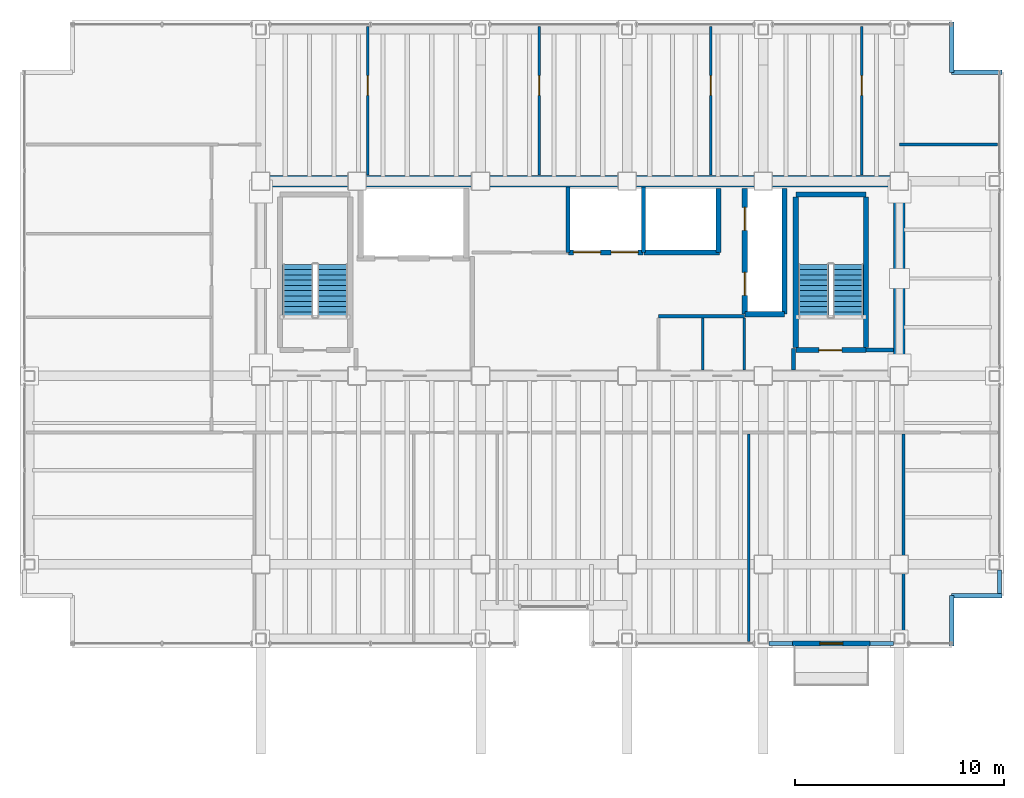
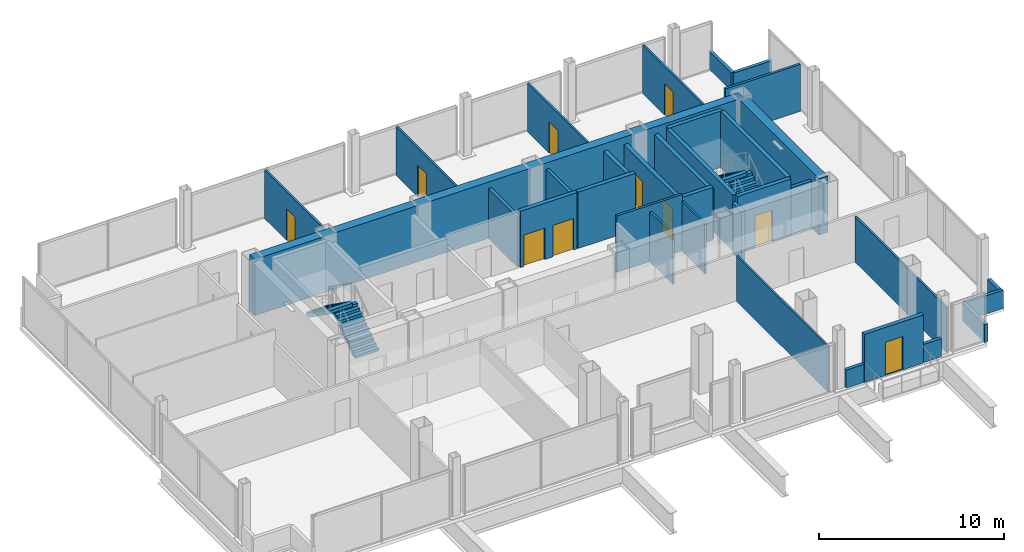
# One storey, part 22 of 24: 34 walls, 10 doors, 4 stair flights, 10 openings, 2 elements without a shape of their own.
"""IFC4 building model written with IfcOpenShell, lengths in metres."""

import ifcopenshell
import ifcopenshell.guid

model = None  # the IFC model being written
_history = None  # IfcOwnerHistory: only IFC2X3 demands one
_inside = {}  # id of a spatial element -> (the spatial element, [elements in it])
_under = {}  # id of a project, library or spatial element -> (it, [spatial elements below it])
_declared = {}  # id of a project -> (the project, [libraries it declares])
_typed = {}  # id of a type object -> (the type object, [elements of that type])
_made_of = {}  # id of a material, layer set ... -> (it, [elements and type objects made of it])


def new_model(schema):
    """Start an empty IFC model of exactly this schema.

    Asked for "IFC4X3", IfcOpenShell would pick the latest addendum, in which some entities
    have other attributes; the version numbers below select the first issue.
    IFC2X3 requires an IfcOwnerHistory on every rooted entity: one is made here for all.
    """
    global model, _history
    if schema == "IFC4X3":
        model = ifcopenshell.file(schema_version=(4, 3, 0, 0))
    else:
        model = ifcopenshell.file(schema=schema)
    _inside.clear()
    _under.clear()
    _declared.clear()
    _typed.clear()
    _made_of.clear()
    _history = None
    if model.schema == "IFC2X3":
        org = make("IfcOrganization", Name="unknown")
        user = make(
            "IfcPersonAndOrganization",
            ThePerson=make("IfcPerson", FamilyName="unknown"),
            TheOrganization=org,
        )
        app = make(
            "IfcApplication",
            ApplicationDeveloper=org,
            Version="unknown",
            ApplicationFullName="unknown",
            ApplicationIdentifier="unknown",
        )
        _history = make(
            "IfcOwnerHistory",
            OwningUser=user,
            OwningApplication=app,
            ChangeAction="ADDED",
            CreationDate=0,
        )
    return model


def make(cls, **values):
    """One entity of the class cls with the attributes given. An attribute that is None is left unset."""
    return model.create_entity(
        cls, **{name: value for name, value in values.items() if value is not None}
    )


def rooted(cls, **values):
    """An entity with a GlobalId (a new one), such as an element, a storey or a relation."""
    return make(cls, GlobalId=ifcopenshell.guid.new(), OwnerHistory=_history, **values)


def si_unit(unit_type, name, prefix=None):
    """IfcSIUnit, for example si_unit("LENGTHUNIT", "METRE", prefix="MILLI")."""
    return make("IfcSIUnit", UnitType=unit_type, Prefix=prefix, Name=name)


def assignment(units):
    """IfcUnitAssignment: the units of a project."""
    return None if units is None else make("IfcUnitAssignment", Units=units)


def point(xyz):
    """IfcCartesianPoint."""
    return None if xyz is None else make("IfcCartesianPoint", Coordinates=xyz)


def direction(xyz):
    """IfcDirection."""
    return None if xyz is None else make("IfcDirection", DirectionRatios=xyz)


def frame(location, z_axis=None, x_axis=None):
    """IfcAxis2Placement3D, a coordinate frame: its origin and axes. An axis left out is left unset."""
    return make(
        "IfcAxis2Placement3D",
        Location=point(location),
        Axis=direction(z_axis),
        RefDirection=direction(x_axis),
    )


def frame_2d(location, x_axis=None):
    """IfcAxis2Placement2D, a coordinate frame in the plane: its origin and x axis."""
    return make(
        "IfcAxis2Placement2D", Location=point(location), RefDirection=direction(x_axis)
    )


def origin():
    """The frame at (0, 0, 0) with its axes left unset."""
    return frame((0.0, 0.0, 0.0))


def place(relative_to, where):
    """IfcLocalPlacement: puts the frame where relative to a parent placement (None: the world)."""
    return make(
        "IfcLocalPlacement", PlacementRelTo=relative_to, RelativePlacement=where
    )


def context(
    kind, dimensions, precision=None, world=None, true_north=None, identifier=None
):
    """IfcGeometricRepresentationContext, for example the 3D "Model" context."""
    return make(
        "IfcGeometricRepresentationContext",
        ContextIdentifier=identifier,
        ContextType=kind,
        CoordinateSpaceDimension=dimensions,
        Precision=precision,
        WorldCoordinateSystem=world,
        TrueNorth=true_north,
    )


def subcontext(parent, identifier, kind, view, scale=None):
    """IfcGeometricRepresentationSubContext, for example "Body" below "Model"."""
    return make(
        "IfcGeometricRepresentationSubContext",
        ContextIdentifier=identifier,
        ContextType=kind,
        ParentContext=parent,
        TargetScale=scale,
        TargetView=view,
    )


def project(units=None, contexts=None):
    """IfcProject with its units and contexts."""
    return rooted(
        "IfcProject",
        Name="project",
        RepresentationContexts=contexts,
        UnitsInContext=assignment(units),
    )


def spatial(cls, under=None, at=None, **own):
    """A site, building, storey or space (cls), placed at a placement, below another one or the project."""
    s = rooted(cls, ObjectPlacement=at, **own)
    if under is not None:
        _under.setdefault(under.id(), (under, []))[1].append(s)
    return s


def polyline(points):
    """IfcPolyline through the points."""
    return make("IfcPolyline", Points=[point(p) for p in points])


def profile(cls, at=None, kind="AREA", **sizes):
    """A parametric profile (cls). Its sizes go by their IFC names, for example OverallWidth=200.0."""
    return make(cls, ProfileType=kind, Position=at, **sizes)


def rectangle(**sizes):
    """IfcRectangleProfileDef."""
    return profile("IfcRectangleProfileDef", **sizes)


def outline(outer, holes=None, kind="AREA"):
    """IfcArbitraryClosedProfileDef: a profile drawn as a closed curve; with holes, ...WithVoids."""
    if holes is None:
        return make("IfcArbitraryClosedProfileDef", ProfileType=kind, OuterCurve=outer)
    return make(
        "IfcArbitraryProfileDefWithVoids",
        ProfileType=kind,
        OuterCurve=outer,
        InnerCurves=holes,
    )


def extrude(swept, where, along, depth):
    """IfcExtrudedAreaSolid: the profile swept, set in the frame where, extruded along a direction by depth."""
    return make(
        "IfcExtrudedAreaSolid",
        SweptArea=swept,
        Position=where,
        ExtrudedDirection=direction(along),
        Depth=depth,
    )


def shape(context_of_items, identifier, shape_type, items):
    """IfcShapeRepresentation: the items that make up one representation, for example the "Body"."""
    return make(
        "IfcShapeRepresentation",
        ContextOfItems=context_of_items,
        RepresentationIdentifier=identifier,
        RepresentationType=shape_type,
        Items=items,
    )


def material(Name=None, Category=None):
    """IfcMaterial."""
    return make("IfcMaterial", Name=Name, Category=Category)


def layer(
    of_material, thickness, ventilated=None, Name=None, Category=None, Priority=None
):
    """IfcMaterialLayer: one layer of a wall or slab, of a material (None: an air gap)."""
    return make(
        "IfcMaterialLayer",
        Material=of_material,
        LayerThickness=thickness,
        IsVentilated=ventilated,
        Name=Name,
        Category=Category,
        Priority=Priority,
    )


def layer_set(layers, Name=None):
    """IfcMaterialLayerSet."""
    return make("IfcMaterialLayerSet", MaterialLayers=layers, LayerSetName=Name)


def made_of(thing, what):
    """Note that an element or type object is made of a material, layer set ...; save() writes the relation."""
    if what is not None:
        _made_of.setdefault(what.id(), (what, []))[1].append(thing)
    return thing


def type_object(cls, material=None, **own):
    """A type object (cls), such as IfcWallType, which elements share."""
    return made_of(rooted(cls, **own), material)


def element(
    cls,
    number,
    at=None,
    inside=None,
    cuts=None,
    type_object=None,
    material=None,
    context=None,
    identifier="Body",
    shape_type=None,
    held_by="IfcProductDefinitionShape",
    body=None,
    shapes=None,
    **own,
):
    """One element of the class cls, such as IfcWall. Its Tag is "e" and its number.

    at: its placement. inside: the storey or other place that contains it. cuts: it is an
    opening in that element (IfcRelVoidsElement). A single representation is given by context,
    identifier, shape_type and body (its items); several are given by shapes. held_by: the class
    of the entity that holds the representations. save() writes the other relations.
    """
    e = rooted(cls, Tag="e%d" % number, ObjectPlacement=at, **own)
    if body is not None:
        shapes = [shape(context, identifier, shape_type, body)]
    if shapes is not None:
        e.Representation = make(held_by, Representations=shapes)
    if inside is not None:
        _inside.setdefault(inside.id(), (inside, []))[1].append(e)
    if cuts is not None:
        rooted(
            "IfcRelVoidsElement", RelatingBuildingElement=cuts, RelatedOpeningElement=e
        )
    if type_object is not None:
        _typed.setdefault(type_object.id(), (type_object, []))[1].append(e)
    return made_of(e, material)


def fill(opening, filler):
    """IfcRelFillsElement: the door or window that sits in an opening."""
    return rooted(
        "IfcRelFillsElement",
        RelatingOpeningElement=opening,
        RelatedBuildingElement=filler,
    )


def aggregate(whole, parts):
    """IfcRelAggregates: a whole, such as a stair, and the parts it consists of."""
    return rooted("IfcRelAggregates", RelatingObject=whole, RelatedObjects=parts)


def save(model, path):
    """Write the relations noted so far, then the file.

    IfcRelAggregates (storeys below a building ...), IfcRelContainedInSpatialStructure (elements
    in a storey), IfcRelDefinesByType, IfcRelAssociatesMaterial and IfcRelDeclares: one each for
    every whole, place, type object, material and project.
    """
    for whole, parts in _under.values():
        aggregate(whole, parts)
    for where, things in _inside.values():
        rooted(
            "IfcRelContainedInSpatialStructure",
            RelatedElements=things,
            RelatingStructure=where,
        )
    for kind, things in _typed.values():
        rooted("IfcRelDefinesByType", RelatedObjects=things, RelatingType=kind)
    for what, things in _made_of.values():
        rooted("IfcRelAssociatesMaterial", RelatedObjects=things, RelatingMaterial=what)
    for by, libraries in _declared.values():
        rooted("IfcRelDeclares", RelatingContext=by, RelatedDefinitions=libraries)
    model.write(path)


model = new_model("IFC4")

# Units and contexts
model_context = context("Model", 3, precision=1e-05, world=origin(), true_north=direction((0.0, 1.0)))
body_context = subcontext(model_context, "Body", "Model", "MODEL_VIEW")
ifc_project = project(units=[si_unit("LENGTHUNIT", "METRE"), si_unit("AREAUNIT", "SQUARE_METRE"), si_unit("VOLUMEUNIT", "CUBIC_METRE"), si_unit("PLANEANGLEUNIT", "RADIAN"), si_unit("MASSUNIT", "GRAM", prefix="KILO")], contexts=[model_context])

# Site, building, storey
site_placement = place(None, origin())
site = spatial("IfcSite", under=ifc_project, at=site_placement, CompositionType="ELEMENT")
building_placement = place(site_placement, origin())
building = spatial("IfcBuilding", under=site, at=building_placement, Name="Noeulbin Bourse Tower", CompositionType="ELEMENT")
storey_placement = place(building_placement, frame((0.0, 0.0, 142.199951171875)))
storey = spatial("IfcBuildingStorey", under=building, at=storey_placement, Name="L35", CompositionType="ELEMENT", Elevation=142.199951171875)

# Walls
ifc_material_1 = material(Name="Concrete C60/75", Category="concrete")
ifc_layer_1 = layer(ifc_material_1, 0.550048828125)
ifc_layer_set_1 = layer_set([ifc_layer_1], Name="Concrete C60/75")
wall_type_1 = type_object("IfcWallType", Name="WAL-CORE-550", PredefinedType="SHEAR", material=ifc_layer_set_1)
wall_1_placement = place(storey_placement, frame((13.5, 38.300048828125, 0.0), z_axis=(0.0, 0.0, 1.0), x_axis=(1.0, 0.0, 0.0)))
element("IfcWall", 1, at=wall_1_placement, inside=storey, type_object=wall_type_1, Name="Rear Core North Shear Wall L35", PredefinedType="SHEAR", context=body_context, shape_type="SweptSolid", body=[
    extrude(rectangle(XDim=30.5, YDim=0.550048828125, at=frame_2d((15.25, 0.0))), origin(), (0.0, 0.0, 1.0), 3.719970703125),
])
wall_2_placement = place(storey_placement, frame((44.0, 29.35009765625, 0.0), z_axis=(0.0, 0.0, 1.0), x_axis=(0.0, 1.0, 0.0)))
element("IfcWall", 2, at=wall_2_placement, inside=storey, type_object=wall_type_1, Name="Rear Core East Shear Wall L35", PredefinedType="SHEAR", context=body_context, shape_type="SweptSolid", body=[
    extrude(rectangle(XDim=8.599853515625, YDim=0.550048828125, at=frame_2d((4.2998046875, 0.0))), origin(), (0.0, 0.0, 1.0), 3.719970703125),
])

# Wall, opening, door
ifc_material_2 = material(Name="Precast Concrete C40/50", Category="concrete")
ifc_layer_2 = layer(ifc_material_2, 0.25)
ifc_layer_set_2 = layer_set([ifc_layer_2], Name="Precast Concrete C40/50")
wall_type_2 = type_object("IfcWallType", Name="WAL-EXT-250", PredefinedType="STANDARD", material=ifc_layer_set_2)
wall_3_placement = place(storey_placement, frame((38.89990234375, 16.219970703125, 0.0), z_axis=(0.0, 0.0, 1.0), x_axis=(1.0, 0.0, 0.0)))
wall_3 = element("IfcWall", 3, at=wall_3_placement, inside=storey, type_object=wall_type_2, Name="Balcony Threshold Wall L35", PredefinedType="STANDARD", context=body_context, shape_type="SweptSolid", body=[
    extrude(rectangle(XDim=3.7001953125, YDim=0.25, at=frame_2d((1.85009765625, 0.0))), origin(), (0.0, 0.0, 1.0), 3.179931640625),
])
opening_1_placement = place(wall_3_placement, frame((1.300048828125, 0.0, 0.0)))
opening_1 = element("IfcOpeningElement", 4, at=opening_1_placement, cuts=wall_3, Name="Opening BD-11", PredefinedType="OPENING", context=body_context, shape_type="SweptSolid", body=[
    extrude(rectangle(XDim=1.10009765625, YDim=2.199951171875, at=frame_2d((0.550048828125, 1.10009765625))), frame((0.0, 0.135009765625, 0.0), z_axis=(0.0, -1.0, 0.0), x_axis=(1.0, 0.0, 0.0)), (0.0, 0.0, 1.0), 0.27001953125),
])
ifc_material_3 = material(Name="Thermally Broken Aluminium Framed Glass", Category="aluminium")
door_type_1 = type_object("IfcDoorType", Name="DR-BAL-1100", OperationType="SINGLE_SWING_LEFT", PredefinedType="DOOR", material=ifc_material_3)
door_1_placement = place(opening_1_placement, origin())
door_1 = element("IfcDoor", 5, at=door_1_placement, inside=storey, type_object=door_type_1, Name="Tree-Balcony Access Door BD-L35", OperationType="SINGLE_SWING_LEFT", OverallHeight=2.199951171875, OverallWidth=1.10009765625, PredefinedType="DOOR", context=body_context, shape_type="SweptSolid", body=[
    extrude(rectangle(XDim=1.10009765625, YDim=2.199951171875, at=frame_2d((0.550048828125, 1.10009765625))), frame((0.0, 0.02490234375, 0.0), z_axis=(0.0, -1.0, 0.0), x_axis=(1.0, 0.0, 0.0)), (0.0, 0.0, 1.0), 0.050048828125),
])
fill(opening_1, door_1)

# Walls
ifc_material_4 = material(Name="Concrete C40/50", Category="concrete")
ifc_layer_3 = layer(ifc_material_4, 0.199951171875)
ifc_layer_set_3 = layer_set([ifc_layer_3], Name="Concrete C40/50")
wall_type_3 = type_object("IfcWallType", Name="WAL-FIRE-200", PredefinedType="STANDARD", material=ifc_layer_set_3)
wall_4_placement = place(storey_placement, frame((42.39990234375, 30.239990234375, 0.0), z_axis=(0.0, 0.0, 1.0), x_axis=(1.0, 0.0, 0.0)))
element("IfcWall", 6, at=wall_4_placement, inside=storey, type_object=wall_type_3, Name="Interior Partition Wall L35-01", PredefinedType="STANDARD", context=body_context, shape_type="SweptSolid", body=[
    extrude(rectangle(XDim=1.315185546875, YDim=0.199951171875, at=frame_2d((0.65771484375, 0.0))), origin(), (0.0, 0.0, 1.0), 3.10009765625),
])
wall_5_placement = place(storey_placement, frame((38.949951171875, 29.284912109375, 0.0), z_axis=(0.0, 0.0, 1.0), x_axis=(0.0, 1.0, 0.0)))
element("IfcWall", 7, at=wall_5_placement, inside=storey, type_object=wall_type_3, Name="Interior Partition Wall L35-10", PredefinedType="STANDARD", context=body_context, shape_type="SweptSolid", body=[
    extrude(rectangle(XDim=1.01513671875, YDim=0.199951171875, at=frame_2d((0.507568359375, 0.0))), origin(), (0.0, 0.0, 1.0), 3.300048828125),
])
ifc_layer_4 = layer(ifc_material_4, 0.199951171875)
ifc_layer_set_4 = layer_set([ifc_layer_4], Name="Concrete C40/50")
wall_type_4 = type_object("IfcWallType", Name="WAL-PAR-200", PredefinedType="PARAPET", material=ifc_layer_set_4)
for number, where, z_axis, x_axis, name in (
    (8, (48.780029296875, 18.60009765625, 0.0), (0.0, 0.0, 1.0), (0.0, 1.0, 0.0), "Perimeter Pier Spandrel Parapet L35-E2"),
    (9, (37.77001953125, 16.219970703125, 0.0), (0.0, 0.0, 1.0), (1.0, 0.0, 0.0), "Perimeter Pier Spandrel Parapet L35-S3"),
    (10, (42.60009765625, 16.219970703125, 0.0), (0.0, 0.0, 1.0), (1.0, 0.0, 0.0), "Perimeter Pier Spandrel Parapet L35-S4"),
):
    element("IfcWall", number, at=place(storey_placement, frame(where, z_axis=z_axis, x_axis=x_axis)), inside=storey, type_object=wall_type_4, Name=name, PredefinedType="PARAPET", context=body_context, shape_type="SweptSolid", body=[
        extrude(rectangle(XDim=1.1298828125, YDim=0.199951171875, at=frame_2d((0.56494140625, 0.0))), origin(), (0.0, 0.0, 1.0), 1.199951171875),
    ])
for number, where, z_axis, x_axis, name in (
    (11, (46.5, 16.10009765625, 0.0), (0.0, 0.0, 1.0), (0.0, 1.0, 0.0), "Corner Notch Parapet L35-SE1"),
    (12, (46.5, 18.5, 0.0), (0.0, 0.0, 1.0), (1.0, 0.0, 0.0), "Corner Notch Parapet L35-SE2"),
    (13, (46.5, 45.89990234375, 0.0), (0.0, 0.0, 1.0), (0.0, -1.0, 0.0), "Corner Notch Parapet L35-NE1"),
    (14, (46.5, 43.5, 0.0), (0.0, 0.0, 1.0), (1.0, 0.0, 0.0), "Corner Notch Parapet L35-NE2"),
):
    element("IfcWall", number, at=place(storey_placement, frame(where, z_axis=z_axis, x_axis=x_axis)), inside=storey, type_object=wall_type_4, Name=name, PredefinedType="PARAPET", context=body_context, shape_type="SweptSolid", body=[
        extrude(rectangle(XDim=2.39990234375, YDim=0.199951171875, at=frame_2d((1.199951171875, 0.0))), origin(), (0.0, 0.0, 1.0), 1.199951171875),
    ])
ifc_material_5 = material(Name="Steel Stud Gypsum Partition", Category="steel")
ifc_layer_5 = layer(ifc_material_5, 0.1201171875)
ifc_layer_set_5 = layer_set([ifc_layer_5], Name="Steel Stud Gypsum Partition")
wall_type_5 = type_object("IfcWallType", Name="WAL-PRT-120", PredefinedType="PARTITIONING", material=ifc_layer_set_5)
for number, where, z_axis, x_axis, name in (
    (15, (36.60009765625, 29.284912109375, 0.0), (0.0, 0.0, 1.0), (0.0, 1.0, 0.0), "Interior Partition Wall L35-13"),
    (16, (34.60009765625, 29.284912109375, 0.0), (0.0, 0.0, 1.0), (0.0, 1.0, 0.0), "Interior Partition Wall L35-14"),
):
    element("IfcWall", number, at=place(storey_placement, frame(where, z_axis=z_axis, x_axis=x_axis)), inside=storey, type_object=wall_type_5, Name=name, PredefinedType="PARTITIONING", context=body_context, shape_type="SweptSolid", body=[
        extrude(rectangle(XDim=2.47998046875, YDim=0.1201171875, at=frame_2d((1.239990234375, 0.0))), origin(), (0.0, 0.0, 1.0), 3.300048828125),
    ])
for number, where, z_axis, x_axis, name in (
    (17, (36.800048828125, 16.31005859375, 0.0), (0.0, 0.0, 1.0), (0.0, 1.0, 0.0), "Interior Partition Wall L35-19"),
    (18, (44.199951171875, 16.31005859375, 0.0), (0.0, 0.0, 1.0), (0.0, 1.0, 0.0), "Interior Partition Wall L35-20"),
):
    element("IfcWall", number, at=place(storey_placement, frame(where, z_axis=z_axis, x_axis=x_axis)), inside=storey, type_object=wall_type_5, Name=name, PredefinedType="PARTITIONING", context=body_context, shape_type="SweptSolid", body=[
        extrude(rectangle(XDim=9.905029296875, YDim=0.1201171875, at=frame_2d((4.95263671875, 0.0))), origin(), (0.0, 0.0, 1.0), 3.0),
    ])

# Wall, opening, door
wall_6_placement = place(storey_placement, frame((18.60009765625, 38.5849609375, 0.0), z_axis=(0.0, 0.0, 1.0), x_axis=(0.0, 1.0, 0.0)))
wall_6 = element("IfcWall", 19, at=wall_6_placement, inside=storey, type_object=wall_type_5, Name="Interior Partition Wall L35-21", PredefinedType="PARTITIONING", context=body_context, shape_type="SweptSolid", body=[
    extrude(rectangle(XDim=7.10498046875, YDim=0.1201171875, at=frame_2d((3.552490234375, 0.0))), origin(), (0.0, 0.0, 1.0), 3.212158203125),
])
opening_2_placement = place(wall_6_placement, frame((3.81005859375, 0.0, 0.0)))
opening_2 = element("IfcOpeningElement", 20, at=opening_2_placement, cuts=wall_6, Name="Opening ID-09", PredefinedType="OPENING", context=body_context, shape_type="SweptSolid", body=[
    extrude(rectangle(XDim=0.949951171875, YDim=2.080078125, at=frame_2d((0.47509765625, 1.0400390625))), frame((0.0, 0.070068359375, 0.0), z_axis=(0.0, -1.0, 0.0), x_axis=(1.0, 0.0, 0.0)), (0.0, 0.0, 1.0), 0.14013671875),
])
ifc_material_6 = material(Name="Acoustic Solid-Core Timber", Category="wood")
door_type_2 = type_object("IfcDoorType", Name="DR-SINGLE-950", OperationType="SINGLE_SWING_LEFT", PredefinedType="DOOR", material=ifc_material_6)
door_2_placement = place(opening_2_placement, origin())
door_2 = element("IfcDoor", 21, at=door_2_placement, inside=storey, type_object=door_type_2, Name="Interior Door L35-18", OperationType="SINGLE_SWING_LEFT", OverallHeight=2.080078125, OverallWidth=0.949951171875, PredefinedType="DOOR", context=body_context, shape_type="SweptSolid", body=[
    extrude(rectangle(XDim=0.949951171875, YDim=2.080078125, at=frame_2d((0.47509765625, 1.0400390625))), frame((0.0, 0.02490234375, 0.0), z_axis=(0.0, -1.0, 0.0), x_axis=(1.0, 0.0, 0.0)), (0.0, 0.0, 1.0), 0.050048828125),
])
fill(opening_2, door_2)

wall_7_placement = place(storey_placement, frame((26.800048828125, 38.5849609375, 0.0), z_axis=(0.0, 0.0, 1.0), x_axis=(0.0, 1.0, 0.0)))
wall_7 = element("IfcWall", 22, at=wall_7_placement, inside=storey, type_object=wall_type_5, Name="Interior Partition Wall L35-22", PredefinedType="PARTITIONING", context=body_context, shape_type="SweptSolid", body=[
    extrude(rectangle(XDim=7.10498046875, YDim=0.1201171875, at=frame_2d((3.552490234375, 0.0))), origin(), (0.0, 0.0, 1.0), 3.212158203125),
])
opening_3_placement = place(wall_7_placement, frame((3.81005859375, 0.0, 0.0)))
opening_3 = element("IfcOpeningElement", 23, at=opening_3_placement, cuts=wall_7, Name="Opening ID-09", PredefinedType="OPENING", context=body_context, shape_type="SweptSolid", body=[
    extrude(rectangle(XDim=0.949951171875, YDim=2.080078125, at=frame_2d((0.47509765625, 1.0400390625))), frame((0.0, 0.070068359375, 0.0), z_axis=(0.0, -1.0, 0.0), x_axis=(1.0, 0.0, 0.0)), (0.0, 0.0, 1.0), 0.14013671875),
])
door_3_placement = place(opening_3_placement, origin())
door_3 = element("IfcDoor", 24, at=door_3_placement, inside=storey, type_object=door_type_2, Name="Interior Door L35-19", OperationType="SINGLE_SWING_RIGHT", OverallHeight=2.080078125, OverallWidth=0.949951171875, PredefinedType="DOOR", context=body_context, shape_type="SweptSolid", body=[
    extrude(rectangle(XDim=0.949951171875, YDim=2.080078125, at=frame_2d((0.47509765625, 1.0400390625))), frame((0.0, 0.02490234375, 0.0), z_axis=(0.0, -1.0, 0.0), x_axis=(1.0, 0.0, 0.0)), (0.0, 0.0, 1.0), 0.050048828125),
])
fill(opening_3, door_3)

wall_8_placement = place(storey_placement, frame((35.0, 38.5849609375, 0.0), z_axis=(0.0, 0.0, 1.0), x_axis=(0.0, 1.0, 0.0)))
wall_8 = element("IfcWall", 25, at=wall_8_placement, inside=storey, type_object=wall_type_5, Name="Interior Partition Wall L35-23", PredefinedType="PARTITIONING", context=body_context, shape_type="SweptSolid", body=[
    extrude(rectangle(XDim=7.10498046875, YDim=0.1201171875, at=frame_2d((3.552490234375, 0.0))), origin(), (0.0, 0.0, 1.0), 3.212158203125),
])
opening_4_placement = place(wall_8_placement, frame((3.81005859375, 0.0, 0.0)))
opening_4 = element("IfcOpeningElement", 26, at=opening_4_placement, cuts=wall_8, Name="Opening ID-09", PredefinedType="OPENING", context=body_context, shape_type="SweptSolid", body=[
    extrude(rectangle(XDim=0.949951171875, YDim=2.080078125, at=frame_2d((0.47509765625, 1.0400390625))), frame((0.0, 0.070068359375, 0.0), z_axis=(0.0, -1.0, 0.0), x_axis=(1.0, 0.0, 0.0)), (0.0, 0.0, 1.0), 0.14013671875),
])
door_4_placement = place(opening_4_placement, origin())
door_4 = element("IfcDoor", 27, at=door_4_placement, inside=storey, type_object=door_type_2, Name="Interior Door L35-20", OperationType="SINGLE_SWING_LEFT", OverallHeight=2.080078125, OverallWidth=0.949951171875, PredefinedType="DOOR", context=body_context, shape_type="SweptSolid", body=[
    extrude(rectangle(XDim=0.949951171875, YDim=2.080078125, at=frame_2d((0.47509765625, 1.0400390625))), frame((0.0, 0.02490234375, 0.0), z_axis=(0.0, -1.0, 0.0), x_axis=(1.0, 0.0, 0.0)), (0.0, 0.0, 1.0), 0.050048828125),
])
fill(opening_4, door_4)

wall_9_placement = place(storey_placement, frame((42.199951171875, 38.5849609375, 0.0), z_axis=(0.0, 0.0, 1.0), x_axis=(0.0, 1.0, 0.0)))
wall_9 = element("IfcWall", 28, at=wall_9_placement, inside=storey, type_object=wall_type_5, Name="Interior Partition Wall L35-24", PredefinedType="PARTITIONING", context=body_context, shape_type="SweptSolid", body=[
    extrude(rectangle(XDim=7.10498046875, YDim=0.1201171875, at=frame_2d((3.552490234375, 0.0))), origin(), (0.0, 0.0, 1.0), 3.212158203125),
])
opening_5_placement = place(wall_9_placement, frame((3.81005859375, 0.0, 0.0)))
opening_5 = element("IfcOpeningElement", 29, at=opening_5_placement, cuts=wall_9, Name="Opening ID-09", PredefinedType="OPENING", context=body_context, shape_type="SweptSolid", body=[
    extrude(rectangle(XDim=0.949951171875, YDim=2.080078125, at=frame_2d((0.47509765625, 1.0400390625))), frame((0.0, 0.070068359375, 0.0), z_axis=(0.0, -1.0, 0.0), x_axis=(1.0, 0.0, 0.0)), (0.0, 0.0, 1.0), 0.14013671875),
])
door_5_placement = place(opening_5_placement, origin())
door_5 = element("IfcDoor", 30, at=door_5_placement, inside=storey, type_object=door_type_2, Name="Interior Door L35-21", OperationType="SINGLE_SWING_RIGHT", OverallHeight=2.080078125, OverallWidth=0.949951171875, PredefinedType="DOOR", context=body_context, shape_type="SweptSolid", body=[
    extrude(rectangle(XDim=0.949951171875, YDim=2.080078125, at=frame_2d((0.47509765625, 1.0400390625))), frame((0.0, 0.02490234375, 0.0), z_axis=(0.0, -1.0, 0.0), x_axis=(1.0, 0.0, 0.0)), (0.0, 0.0, 1.0), 0.050048828125),
])
fill(opening_5, door_5)

# Walls
ifc_material_7 = material(Name="Steel Stud Acoustic Gypsum Board", Category="steel")
ifc_layer_6 = layer(ifc_material_7, 0.14990234375)
ifc_layer_set_6 = layer_set([ifc_layer_6], Name="Steel Stud Acoustic Gypsum Board")
wall_type_6 = type_object("IfcWallType", Name="WAL-PRT-150", PredefinedType="PARTITIONING", material=ifc_layer_set_6)
wall_10_placement = place(storey_placement, frame((32.5, 31.85009765625, 0.0), z_axis=(0.0, 0.0, 1.0), x_axis=(1.0, 0.0, 0.0)))
element("IfcWall", 31, at=wall_10_placement, inside=storey, type_object=wall_type_6, Name="Interior Partition Wall L35-03", PredefinedType="PARTITIONING", context=body_context, shape_type="SweptSolid", body=[
    extrude(rectangle(XDim=4.10009765625, YDim=0.14990234375, at=frame_2d((2.050048828125, 0.0))), origin(), (0.0, 0.0, 1.0), 3.719970703125),
])
wall_11_placement = place(storey_placement, frame((44.0, 40.050048828125, 0.0), z_axis=(0.0, 0.0, 1.0), x_axis=(1.0, 0.0, 0.0)))
element("IfcWall", 32, at=wall_11_placement, inside=storey, type_object=wall_type_6, Name="Interior Partition Wall L35-08", PredefinedType="PARTITIONING", context=body_context, shape_type="SweptSolid", body=[
    extrude(rectangle(XDim=4.68994140625, YDim=0.14990234375, at=frame_2d((2.344970703125, 0.0))), origin(), (0.0, 0.0, 1.0), 3.10009765625),
])

# Wall, opening, door
ifc_layer_7 = layer(ifc_material_4, 0.25)
ifc_layer_set_7 = layer_set([ifc_layer_7], Name="Concrete C40/50")
wall_type_7 = type_object("IfcWallType", Name="WAL-SHFT-250", PredefinedType="STANDARD", material=ifc_layer_set_7)
wall_12_placement = place(storey_placement, frame((39.06005859375, 30.235107421875, 0.0), z_axis=(0.0, 0.0, 1.0), x_axis=(1.0, 0.0, 0.0)))
wall_12 = element("IfcWall", 33, at=wall_12_placement, inside=storey, type_object=wall_type_7, Name="Stair ST-2 South Shaft Wall L35", PredefinedType="STANDARD", context=body_context, shape_type="SweptSolid", body=[
    extrude(rectangle(XDim=3.33984375, YDim=0.25, at=frame_2d((1.669921875, 0.0))), origin(), (0.0, 0.0, 1.0), 3.719970703125),
])
opening_6_placement = place(wall_12_placement, frame((1.10009765625, 0.0, 0.0)))
opening_6 = element("IfcOpeningElement", 34, at=opening_6_placement, cuts=wall_12, Name="Opening FD-11", PredefinedType="OPENING", context=body_context, shape_type="SweptSolid", body=[
    extrude(rectangle(XDim=1.10009765625, YDim=2.080078125, at=frame_2d((0.550048828125, 1.0400390625))), frame((0.0, 0.135009765625, 0.0), z_axis=(0.0, -1.0, 0.0), x_axis=(1.0, 0.0, 0.0)), (0.0, 0.0, 1.0), 0.27001953125),
])
ifc_material_8 = material(Name="Fire-Rated Insulated Steel", Category="steel")
door_type_3 = type_object("IfcDoorType", Name="DR-FD60-1100", OperationType="SINGLE_SWING_LEFT", PredefinedType="DOOR", material=ifc_material_8)
door_6_placement = place(opening_6_placement, origin())
door_6 = element("IfcDoor", 35, at=door_6_placement, inside=storey, type_object=door_type_3, Name="Protected Stair Entry Door ST2-L35", OperationType="SINGLE_SWING_LEFT", OverallHeight=2.080078125, OverallWidth=1.10009765625, PredefinedType="DOOR", context=body_context, shape_type="SweptSolid", body=[
    extrude(rectangle(XDim=1.10009765625, YDim=2.080078125, at=frame_2d((0.550048828125, 1.0400390625))), frame((0.0, 0.02490234375, 0.0), z_axis=(0.0, -1.0, 0.0), x_axis=(1.0, 0.0, 0.0)), (0.0, 0.0, 1.0), 0.050048828125),
])
fill(opening_6, door_6)

# Walls
wall_13_placement = place(storey_placement, frame((39.06005859375, 37.6689453125, 0.0), z_axis=(0.0, 0.0, 1.0), x_axis=(1.0, 0.0, 0.0)))
element("IfcWall", 36, at=wall_13_placement, inside=storey, type_object=wall_type_7, Name="Stair ST-2 North Shaft Wall L35", PredefinedType="STANDARD", context=body_context, shape_type="SweptSolid", body=[
    extrude(rectangle(XDim=3.33984375, YDim=0.25, at=frame_2d((1.669921875, 0.0))), origin(), (0.0, 0.0, 1.0), 3.719970703125),
])
for number, where, z_axis, x_axis, name in (
    (37, (39.054931640625, 30.360107421875, 0.0), (0.0, 0.0, 1.0), (0.0, 1.0, 0.0), "Stair ST-2 West Shaft Wall L35"),
    (38, (42.405029296875, 30.360107421875, 0.0), (0.0, 0.0, 1.0), (0.0, 1.0, 0.0), "Stair ST-2 East Shaft Wall L35"),
):
    element("IfcWall", number, at=place(storey_placement, frame(where, z_axis=z_axis, x_axis=x_axis)), inside=storey, type_object=wall_type_7, Name=name, PredefinedType="STANDARD", context=body_context, shape_type="SweptSolid", body=[
        extrude(rectangle(XDim=7.183837890625, YDim=0.25, at=frame_2d((3.591796875, 0.0))), origin(), (0.0, 0.0, 1.0), 3.719970703125),
    ])

# Wall, openings, doors
wall_14_placement = place(storey_placement, frame((36.6201171875, 31.949951171875, 0.0), z_axis=(0.0, 0.0, 1.0), x_axis=(0.0, 1.0, 0.0)))
wall_14 = element("IfcWall", 39, at=wall_14_placement, inside=storey, type_object=wall_type_7, Name="Service Lift Shaft Wall L35", PredefinedType="STANDARD", context=body_context, shape_type="SweptSolid", body=[
    extrude(rectangle(XDim=6.0, YDim=0.25, at=frame_2d((3.0, 0.0))), origin(), (0.0, 0.0, 1.0), 3.300048828125),
])
opening_7_placement = place(wall_14_placement, frame((0.89990234375, 0.0, 0.0)))
opening_7 = element("IfcOpeningElement", 40, at=opening_7_placement, cuts=wall_14, Name="Opening LD-11", PredefinedType="OPENING", context=body_context, shape_type="SweptSolid", body=[
    extrude(rectangle(XDim=1.10009765625, YDim=2.080078125, at=frame_2d((0.550048828125, 1.0400390625))), frame((0.0, 0.135009765625, 0.0), z_axis=(0.0, -1.0, 0.0), x_axis=(1.0, 0.0, 0.0)), (0.0, 0.0, 1.0), 0.27001953125),
])
opening_8_placement = place(wall_14_placement, frame((4.0, 0.0, 0.0)))
opening_8 = element("IfcOpeningElement", 41, at=opening_8_placement, cuts=wall_14, Name="Opening LD-11", PredefinedType="OPENING", context=body_context, shape_type="SweptSolid", body=[
    extrude(rectangle(XDim=1.10009765625, YDim=2.080078125, at=frame_2d((0.550048828125, 1.0400390625))), frame((0.0, 0.135009765625, 0.0), z_axis=(0.0, -1.0, 0.0), x_axis=(1.0, 0.0, 0.0)), (0.0, 0.0, 1.0), 0.27001953125),
])
ifc_material_9 = material(Name="Brushed Stainless Steel 316", Category="steel")
door_type_4 = type_object("IfcDoorType", Name="DR-LIFT-1100", OperationType="SLIDING_TO_LEFT", PredefinedType="DOOR", material=ifc_material_9)
door_7_placement = place(opening_7_placement, origin())
door_7 = element("IfcDoor", 42, at=door_7_placement, inside=storey, type_object=door_type_4, Name="Lift Landing Door LD-EL-01-L35", OperationType="SLIDING_TO_LEFT", OverallHeight=2.080078125, OverallWidth=1.10009765625, PredefinedType="DOOR", context=body_context, shape_type="SweptSolid", body=[
    extrude(rectangle(XDim=1.10009765625, YDim=2.080078125, at=frame_2d((0.550048828125, 1.0400390625))), frame((0.0, 0.02490234375, 0.0), z_axis=(0.0, -1.0, 0.0), x_axis=(1.0, 0.0, 0.0)), (0.0, 0.0, 1.0), 0.050048828125),
])
fill(opening_7, door_7)
door_8_placement = place(opening_8_placement, origin())
door_8 = element("IfcDoor", 43, at=door_8_placement, inside=storey, type_object=door_type_4, Name="Lift Landing Door LD-SV-01-L35", OperationType="SLIDING_TO_LEFT", OverallHeight=2.080078125, OverallWidth=1.10009765625, PredefinedType="DOOR", context=body_context, shape_type="SweptSolid", body=[
    extrude(rectangle(XDim=1.10009765625, YDim=2.080078125, at=frame_2d((0.550048828125, 1.0400390625))), frame((0.0, 0.02490234375, 0.0), z_axis=(0.0, -1.0, 0.0), x_axis=(1.0, 0.0, 0.0)), (0.0, 0.0, 1.0), 0.050048828125),
])
fill(opening_8, door_8)

# Walls
wall_15_placement = place(storey_placement, frame((38.52001953125, 31.949951171875, 0.0), z_axis=(0.0, 0.0, 1.0), x_axis=(0.0, 1.0, 0.0)))
element("IfcWall", 44, at=wall_15_placement, inside=storey, type_object=wall_type_7, Name="Service Lift East Shaft Wall L35", PredefinedType="STANDARD", context=body_context, shape_type="SweptSolid", body=[
    extrude(rectangle(XDim=6.0, YDim=0.25, at=frame_2d((3.0, 0.0))), origin(), (0.0, 0.0, 1.0), 3.300048828125),
])
wall_16_placement = place(storey_placement, frame((36.6201171875, 31.949951171875, 0.0), z_axis=(0.0, 0.0, 1.0), x_axis=(1.0, 0.0, 0.0)))
element("IfcWall", 45, at=wall_16_placement, inside=storey, type_object=wall_type_7, Name="Service Lift South Shaft Wall L35", PredefinedType="STANDARD", context=body_context, shape_type="SweptSolid", body=[
    extrude(rectangle(XDim=1.89990234375, YDim=0.25, at=frame_2d((0.949951171875, 0.0))), origin(), (0.0, 0.0, 1.0), 3.47998046875),
])
wall_17_placement = place(storey_placement, frame((35.360107421875, 34.89990234375, 0.0), z_axis=(0.0, 0.0, 1.0), x_axis=(0.0, 1.0, 0.0)))
element("IfcWall", 46, at=wall_17_placement, inside=storey, type_object=wall_type_7, Name="High-Rise Lift East Shaft Wall L35", PredefinedType="STANDARD", context=body_context, shape_type="SweptSolid", body=[
    extrude(rectangle(XDim=3.050048828125, YDim=0.25, at=frame_2d((1.52490234375, 0.0))), origin(), (0.0, 0.0, 1.0), 3.300048828125),
])

# Wall, openings, doors
wall_18_placement = place(storey_placement, frame((28.199951171875, 34.89990234375, 0.0), z_axis=(0.0, 0.0, 1.0), x_axis=(1.0, 0.0, 0.0)))
wall_18 = element("IfcWall", 47, at=wall_18_placement, inside=storey, type_object=wall_type_7, Name="Mid-Rise Lift Bank Front L35", PredefinedType="STANDARD", context=body_context, shape_type="SweptSolid", body=[
    extrude(rectangle(XDim=3.550048828125, YDim=0.25, at=frame_2d((1.77490234375, 0.0))), origin(), (0.0, 0.0, 1.0), 3.719970703125),
])
opening_9_placement = place(wall_18_placement, frame((0.22998046875, 0.0, 0.0)))
opening_9 = element("IfcOpeningElement", 48, at=opening_9_placement, cuts=wall_18, Name="Opening LD-13", PredefinedType="OPENING", context=body_context, shape_type="SweptSolid", body=[
    extrude(rectangle(XDim=1.300048828125, YDim=2.080078125, at=frame_2d((0.64990234375, 1.0400390625))), frame((0.0, 0.135009765625, 0.0), z_axis=(0.0, -1.0, 0.0), x_axis=(1.0, 0.0, 0.0)), (0.0, 0.0, 1.0), 0.27001953125),
])
opening_10_placement = place(wall_18_placement, frame((2.030029296875, 0.0, 0.0)))
opening_10 = element("IfcOpeningElement", 49, at=opening_10_placement, cuts=wall_18, Name="Opening LD-13", PredefinedType="OPENING", context=body_context, shape_type="SweptSolid", body=[
    extrude(rectangle(XDim=1.300048828125, YDim=2.080078125, at=frame_2d((0.64990234375, 1.0400390625))), frame((0.0, 0.135009765625, 0.0), z_axis=(0.0, -1.0, 0.0), x_axis=(1.0, 0.0, 0.0)), (0.0, 0.0, 1.0), 0.27001953125),
])
door_type_5 = type_object("IfcDoorType", Name="DR-LIFT-1300", OperationType="DOUBLE_DOOR_SLIDING", PredefinedType="DOOR", material=ifc_material_9)
door_9_placement = place(opening_9_placement, origin())
door_9 = element("IfcDoor", 50, at=door_9_placement, inside=storey, type_object=door_type_5, Name="Lift Landing Door LD-PL-M1-L35", OperationType="DOUBLE_DOOR_SLIDING", OverallHeight=2.080078125, OverallWidth=1.300048828125, PredefinedType="DOOR", context=body_context, shape_type="SweptSolid", body=[
    extrude(rectangle(XDim=1.300048828125, YDim=2.080078125, at=frame_2d((0.64990234375, 1.0400390625))), frame((0.0, 0.02490234375, 0.0), z_axis=(0.0, -1.0, 0.0), x_axis=(1.0, 0.0, 0.0)), (0.0, 0.0, 1.0), 0.050048828125),
])
fill(opening_9, door_9)
door_10_placement = place(opening_10_placement, origin())
door_10 = element("IfcDoor", 51, at=door_10_placement, inside=storey, type_object=door_type_5, Name="Lift Landing Door LD-PL-M2-L35", OperationType="DOUBLE_DOOR_SLIDING", OverallHeight=2.080078125, OverallWidth=1.300048828125, PredefinedType="DOOR", context=body_context, shape_type="SweptSolid", body=[
    extrude(rectangle(XDim=1.300048828125, YDim=2.080078125, at=frame_2d((0.64990234375, 1.0400390625))), frame((0.0, 0.02490234375, 0.0), z_axis=(0.0, -1.0, 0.0), x_axis=(1.0, 0.0, 0.0)), (0.0, 0.0, 1.0), 0.050048828125),
])
fill(opening_10, door_10)

# Walls
wall_19_placement = place(storey_placement, frame((31.800048828125, 34.89990234375, 0.0), z_axis=(0.0, 0.0, 1.0), x_axis=(1.0, 0.0, 0.0)))
element("IfcWall", 52, at=wall_19_placement, inside=storey, type_object=wall_type_7, Name="High-Rise Lift Bank Front L35", PredefinedType="STANDARD", context=body_context, shape_type="SweptSolid", body=[
    extrude(rectangle(XDim=3.599853515625, YDim=0.25, at=frame_2d((1.7998046875, 0.0))), origin(), (0.0, 0.0, 1.0), 3.719970703125),
])
for number, where, z_axis, x_axis, name in (
    (53, (28.179931640625, 34.89990234375, 0.0), (0.0, 0.0, 1.0), (0.0, 1.0, 0.0), "Hoistway Side Shaft Wall L35-PLMW"),
    (54, (31.780029296875, 34.89990234375, 0.0), (0.0, 0.0, 1.0), (0.0, 1.0, 0.0), "Hoistway Side Shaft Wall L35-PLHW"),
):
    element("IfcWall", number, at=place(storey_placement, frame(where, z_axis=z_axis, x_axis=x_axis)), inside=storey, type_object=wall_type_7, Name=name, PredefinedType="STANDARD", context=body_context, shape_type="SweptSolid", body=[
        extrude(rectangle(XDim=3.1201171875, YDim=0.199951171875, at=frame_2d((1.56005859375, 0.0))), origin(), (0.0, 0.0, 1.0), 3.300048828125),
    ])

# Stair, stair flights
stair_type = type_object("IfcStairType", Name="STR-CORE-1560", PredefinedType="HALF_TURN_STAIR", material=ifc_material_4)
stair_1_placement = place(storey_placement, origin())
stair_1 = element("IfcStair", 55, at=stair_1_placement, inside=storey, type_object=stair_type, Name="L35 ST-1", PredefinedType="HALF_TURN_STAIR")
stair_flight_type = type_object("IfcStairFlightType", Name="SFL-CORE-1560", PredefinedType="STRAIGHT", material=ifc_material_4)
stair_flight_1_placement = place(storey_placement, frame((16.925048828125, 31.81005859375, 0.0), z_axis=(0.0, 0.0, 1.0), x_axis=(0.0, 1.0, 0.0)))
stair_flight_1 = element("IfcStairFlight", 56, at=stair_flight_1_placement, type_object=stair_flight_type, Name="ST-1 flight 1", NumberOfRisers=11, NumberOfTreads=10, PredefinedType="STRAIGHT", RiserHeight=0.177272727, TreadLength=0.252, context=body_context, shape_type="SweptSolid", body=[
    extrude(outline(polyline([(0.0, 0.0), (0.0, 0.17724609375), (0.251953125, 0.17724609375), (0.251953125, 0.3544921875), (0.50390625, 0.3544921875), (0.50390625, 0.53173828125), (0.756103515625, 0.53173828125), (0.756103515625, 0.708984375), (1.008056640625, 0.708984375), (1.008056640625, 0.886474609375), (1.260009765625, 0.886474609375), (1.260009765625, 1.063720703125), (1.511962890625, 1.063720703125), (1.511962890625, 1.240966796875), (1.763916015625, 1.240966796875), (1.763916015625, 1.418212890625), (2.01611328125, 1.418212890625), (2.01611328125, 1.595458984375), (2.26806640625, 1.595458984375), (2.26806640625, 1.772705078125), (2.52001953125, 1.772705078125), (2.52001953125, 1.949951171875), (2.52001953125, 1.552734375), (0.312744140625, 0.0), (0.0, 0.0)])), frame((0.0, 0.72509765625, 0.0), z_axis=(0.0, -1.0, 0.0), x_axis=(1.0, 0.0, 0.0)), (0.0, 0.0, 1.0), 1.449951171875),
])
stair_flight_2_placement = place(storey_placement, frame((15.27490234375, 34.330078125, 1.949951171875), z_axis=(0.0, 0.0, 1.0), x_axis=(0.0, -1.0, 0.0)))
stair_flight_2 = element("IfcStairFlight", 57, at=stair_flight_2_placement, type_object=stair_flight_type, Name="ST-1 flight 2", NumberOfRisers=11, NumberOfTreads=10, PredefinedType="STRAIGHT", RiserHeight=0.177272727, TreadLength=0.252, context=body_context, shape_type="SweptSolid", body=[
    extrude(outline(polyline([(0.0, 0.0), (0.0, 0.17724609375), (0.251953125, 0.17724609375), (0.251953125, 0.3544921875), (0.50390625, 0.3544921875), (0.50390625, 0.53173828125), (0.756103515625, 0.53173828125), (0.756103515625, 0.708984375), (1.008056640625, 0.708984375), (1.008056640625, 0.886474609375), (1.260009765625, 0.886474609375), (1.260009765625, 1.063720703125), (1.511962890625, 1.063720703125), (1.511962890625, 1.240966796875), (1.763916015625, 1.240966796875), (1.763916015625, 1.418212890625), (2.01611328125, 1.418212890625), (2.01611328125, 1.595458984375), (2.26806640625, 1.595458984375), (2.26806640625, 1.772705078125), (2.52001953125, 1.772705078125), (2.52001953125, 1.949951171875), (2.52001953125, 1.552734375), (0.312744140625, 0.0), (0.0, 0.0)])), frame((0.0, 0.72509765625, 0.0), z_axis=(0.0, -1.0, 0.0), x_axis=(1.0, 0.0, 0.0)), (0.0, 0.0, 1.0), 1.449951171875),
])
aggregate(stair_1, [stair_flight_1, stair_flight_2])

stair_2_placement = place(storey_placement, origin())
stair_2 = element("IfcStair", 58, at=stair_2_placement, inside=storey, type_object=stair_type, Name="L35 ST-2", PredefinedType="HALF_TURN_STAIR")
stair_flight_3_placement = place(storey_placement, frame((41.554931640625, 31.81005859375, 0.0), z_axis=(0.0, 0.0, 1.0), x_axis=(0.0, 1.0, 0.0)))
stair_flight_3 = element("IfcStairFlight", 59, at=stair_flight_3_placement, type_object=stair_flight_type, Name="ST-2 flight 1", NumberOfRisers=11, NumberOfTreads=10, PredefinedType="STRAIGHT", RiserHeight=0.177272727, TreadLength=0.252, context=body_context, shape_type="SweptSolid", body=[
    extrude(outline(polyline([(0.0, 0.0), (0.0, 0.17724609375), (0.251953125, 0.17724609375), (0.251953125, 0.3544921875), (0.50390625, 0.3544921875), (0.50390625, 0.53173828125), (0.756103515625, 0.53173828125), (0.756103515625, 0.708984375), (1.008056640625, 0.708984375), (1.008056640625, 0.886474609375), (1.260009765625, 0.886474609375), (1.260009765625, 1.063720703125), (1.511962890625, 1.063720703125), (1.511962890625, 1.240966796875), (1.763916015625, 1.240966796875), (1.763916015625, 1.418212890625), (2.01611328125, 1.418212890625), (2.01611328125, 1.595458984375), (2.26806640625, 1.595458984375), (2.26806640625, 1.772705078125), (2.52001953125, 1.772705078125), (2.52001953125, 1.949951171875), (2.52001953125, 1.552734375), (0.312744140625, 0.0), (0.0, 0.0)])), frame((0.0, 0.72509765625, 0.0), z_axis=(0.0, -1.0, 0.0), x_axis=(1.0, 0.0, 0.0)), (0.0, 0.0, 1.0), 1.449951171875),
])
stair_flight_4_placement = place(storey_placement, frame((39.905029296875, 34.330078125, 1.949951171875), z_axis=(0.0, 0.0, 1.0), x_axis=(0.0, -1.0, 0.0)))
stair_flight_4 = element("IfcStairFlight", 60, at=stair_flight_4_placement, type_object=stair_flight_type, Name="ST-2 flight 2", NumberOfRisers=11, NumberOfTreads=10, PredefinedType="STRAIGHT", RiserHeight=0.177272727, TreadLength=0.252, context=body_context, shape_type="SweptSolid", body=[
    extrude(outline(polyline([(0.0, 0.0), (0.0, 0.17724609375), (0.251953125, 0.17724609375), (0.251953125, 0.3544921875), (0.50390625, 0.3544921875), (0.50390625, 0.53173828125), (0.756103515625, 0.53173828125), (0.756103515625, 0.708984375), (1.008056640625, 0.708984375), (1.008056640625, 0.886474609375), (1.260009765625, 0.886474609375), (1.260009765625, 1.063720703125), (1.511962890625, 1.063720703125), (1.511962890625, 1.240966796875), (1.763916015625, 1.240966796875), (1.763916015625, 1.418212890625), (2.01611328125, 1.418212890625), (2.01611328125, 1.595458984375), (2.26806640625, 1.595458984375), (2.26806640625, 1.772705078125), (2.52001953125, 1.772705078125), (2.52001953125, 1.949951171875), (2.52001953125, 1.552734375), (0.312744140625, 0.0), (0.0, 0.0)])), frame((0.0, 0.72509765625, 0.0), z_axis=(0.0, -1.0, 0.0), x_axis=(1.0, 0.0, 0.0)), (0.0, 0.0, 1.0), 1.449951171875),
])
aggregate(stair_2, [stair_flight_3, stair_flight_4])

save(model, "model.ifc")
